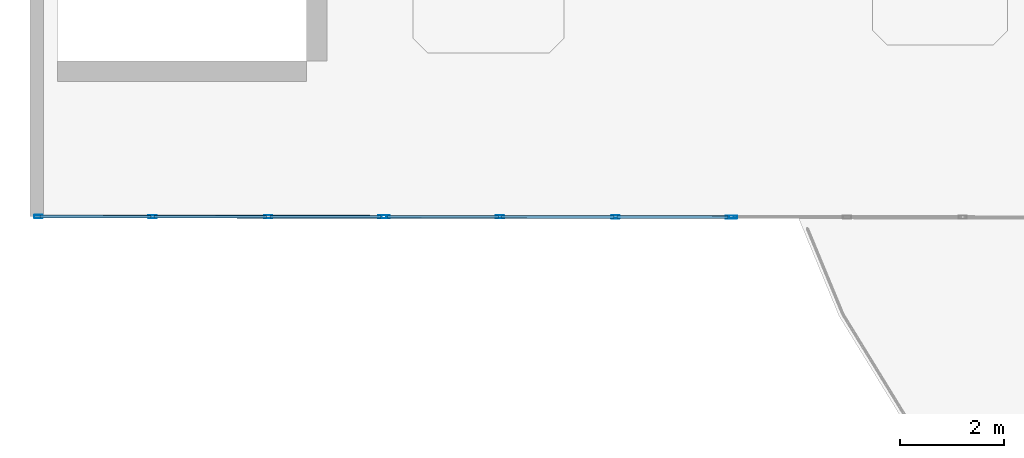
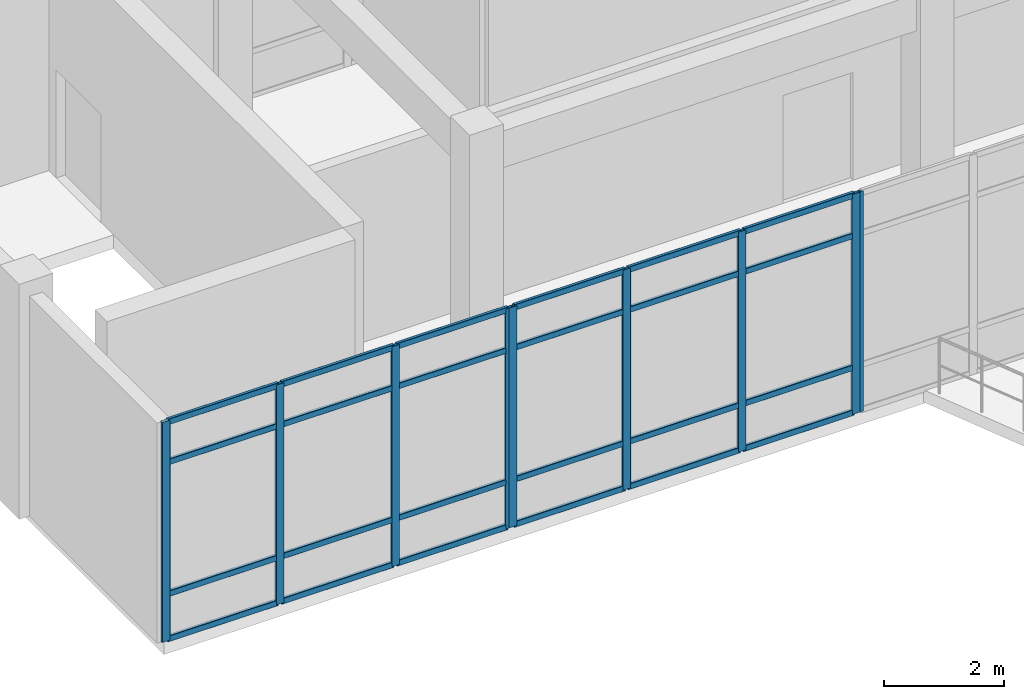
# One storey, part 3 of 41: 33 members, 3 elements without a shape of their own.
"""IFC4 building model written with IfcOpenShell, lengths in metres."""

from ifc_helpers import new_model, si_unit, derived_unit, direction, frame, origin, origin_2d, place, context, subcontext, project, spatial, hollow_rectangle, extrude, material, layer, layer_set, material_profile, profile_set, type_object, element, aggregate, save


model = new_model("IFC4")

# Units and contexts
model_context = context("Model", 3, precision=1e-05, world=origin(), true_north=direction((0.0, 1.0)))
body_context = subcontext(model_context, "Body", "Model", "MODEL_VIEW")
ifc_project = project(units=[si_unit("LENGTHUNIT", "METRE"), si_unit("AREAUNIT", "SQUARE_METRE"), si_unit("VOLUMEUNIT", "CUBIC_METRE"), si_unit("PLANEANGLEUNIT", "RADIAN"), si_unit("MASSUNIT", "GRAM", prefix="KILO"), derived_unit("THERMALTRANSMITTANCEUNIT", [(si_unit("MASSUNIT", "GRAM", prefix="KILO"), 1), (si_unit("TIMEUNIT", "SECOND"), -3), (si_unit("THERMODYNAMICTEMPERATUREUNIT", "KELVIN"), -1)])], contexts=[model_context])

# Site, building, storey
site_placement = place(None, origin())
site = spatial("IfcSite", under=ifc_project, at=site_placement, CompositionType="ELEMENT")
building_placement = place(site_placement, origin())
building = spatial("IfcBuilding", under=site, at=building_placement, Name="Qinzheling Arcade Emporium", CompositionType="ELEMENT")
storey_placement = place(building_placement, frame((0.0, 0.0, 36.300048828125)))
storey = spatial("IfcBuildingStorey", under=building, at=storey_placement, Name="L08", CompositionType="ELEMENT", Elevation=36.300048828125)

# Curtain wall, member
ifc_material_1 = material(Name="Anodised aluminium and solar-control double glazing", Category="aluminium")
ifc_layer = layer(ifc_material_1, 0.159912109375, Name="Anodised aluminium and solar-control double glazing", Category="aluminium")
ifc_layer_set = layer_set([ifc_layer], Name="Anodised aluminium and solar-control double glazing")
curtain_wall_type = type_object("IfcCurtainWallType", Name="Arcade Portal Glazed Curtain Wall", PredefinedType="NOTDEFINED", material=ifc_layer_set)
curtain_wall_1_placement = place(storey_placement, origin())
curtain_wall_1 = element("IfcCurtainWall", 1, at=curtain_wall_1_placement, inside=storey, type_object=curtain_wall_type, Name="Curtain Wall CW-L08-459", PredefinedType="NOTDEFINED")
ifc_material_2 = material(Name="Anodised aluminium 6063-T6", Category="aluminium")
ifc_material_profile_1 = material_profile(ifc_material_2, hollow_rectangle(XDim=0.06005859375, YDim=0.159912109375, WallThickness=0.00390625, InnerFilletRadius=0.00390625, OuterFilletRadius=0.008056640625, at=origin_2d()), Name="RHS 160x60x4", Category="aluminium")
ifc_profile_set_1 = profile_set([ifc_material_profile_1], Name="Anodised aluminium 6063-T6")
member_type_1 = type_object("IfcMemberType", Name="Curtain Wall Mullion RHS160x60", PredefinedType="MULLION", material=ifc_profile_set_1)
member_1_placement = place(storey_placement, frame((13.408935546875, 28.989013671875, 0.0), z_axis=(0.0, 0.0, 1.0), x_axis=(-0.000897397182, -0.999999597339, 0.0)))
member_1 = element("IfcMember", 2, at=member_1_placement, type_object=member_type_1, Name="CW05 mullion 4", PredefinedType="MULLION", context=body_context, shape_type="SweptSolid", body=[
    extrude(hollow_rectangle(XDim=0.06005859375, YDim=0.159912109375, WallThickness=0.00390625, InnerFilletRadius=0.00390625, OuterFilletRadius=0.008056640625, at=origin_2d()), origin(), (0.0, 0.0, 1.0), 4.489990234375),
])
aggregate(curtain_wall_1, [member_1])

# Curtain wall, members
curtain_wall_2_placement = place(storey_placement, origin())
curtain_wall_2 = element("IfcCurtainWall", 3, at=curtain_wall_2_placement, inside=storey, type_object=curtain_wall_type, Name="Curtain Wall CW-L08-460", PredefinedType="NOTDEFINED")
member_2_placement = place(storey_placement, frame((13.344970703125, 28.989013671875, 0.0), z_axis=(0.0, 0.0, 1.0), x_axis=(-0.000747942944, -0.999999720291, 0.0)))
member_2 = element("IfcMember", 4, at=member_2_placement, type_object=member_type_1, Name="CW05 mullion 1", PredefinedType="MULLION", context=body_context, shape_type="SweptSolid", body=[
    extrude(hollow_rectangle(XDim=0.06005859375, YDim=0.159912109375, WallThickness=0.00390625, InnerFilletRadius=0.00390625, OuterFilletRadius=0.008056640625, at=origin_2d()), origin(), (0.0, 0.0, 1.0), 4.489990234375),
])
member_3_placement = place(storey_placement, frame((11.146728515625, 28.99072265625, 0.0), z_axis=(0.0, 0.0, 1.0), x_axis=(-0.000747942944, -0.999999720291, 0.0)))
member_3 = element("IfcMember", 5, at=member_3_placement, type_object=member_type_1, Name="CW05 mullion 2", PredefinedType="MULLION", context=body_context, shape_type="SweptSolid", body=[
    extrude(hollow_rectangle(XDim=0.06005859375, YDim=0.159912109375, WallThickness=0.00390625, InnerFilletRadius=0.00390625, OuterFilletRadius=0.008056640625, at=origin_2d()), origin(), (0.0, 0.0, 1.0), 4.489990234375),
])
member_4_placement = place(storey_placement, frame((8.918212890625, 28.992431640625, 0.0), z_axis=(0.0, 0.0, 1.0), x_axis=(-0.000747942944, -0.999999720291, 0.0)))
member_4 = element("IfcMember", 6, at=member_4_placement, type_object=member_type_1, Name="CW05 mullion 3", PredefinedType="MULLION", context=body_context, shape_type="SweptSolid", body=[
    extrude(hollow_rectangle(XDim=0.06005859375, YDim=0.159912109375, WallThickness=0.00390625, InnerFilletRadius=0.00390625, OuterFilletRadius=0.008056640625, at=origin_2d()), origin(), (0.0, 0.0, 1.0), 4.489990234375),
])
member_5_placement = place(storey_placement, frame((6.719970703125, 28.993896484375, 0.0), z_axis=(0.0, 0.0, 1.0), x_axis=(-0.000747942944, -0.999999720291, 0.0)))
member_5 = element("IfcMember", 7, at=member_5_placement, type_object=member_type_1, Name="CW05 mullion 4", PredefinedType="MULLION", context=body_context, shape_type="SweptSolid", body=[
    extrude(hollow_rectangle(XDim=0.06005859375, YDim=0.159912109375, WallThickness=0.00390625, InnerFilletRadius=0.00390625, OuterFilletRadius=0.008056640625, at=origin_2d()), origin(), (0.0, 0.0, 1.0), 4.489990234375),
])

curtain_wall_3_placement = place(storey_placement, origin())
curtain_wall_3 = element("IfcCurtainWall", 8, at=curtain_wall_3_placement, inside=storey, type_object=curtain_wall_type, Name="Curtain Wall CW-L08-461", PredefinedType="NOTDEFINED")
member_6_placement = place(storey_placement, frame((6.656005859375, 28.994140625, 0.0), z_axis=(0.0, 0.0, 1.0), x_axis=(-0.000897397182, -0.999999597339, 0.0)))
member_6 = element("IfcMember", 9, at=member_6_placement, type_object=member_type_1, Name="CW05 mullion 1", PredefinedType="MULLION", context=body_context, shape_type="SweptSolid", body=[
    extrude(hollow_rectangle(XDim=0.06005859375, YDim=0.159912109375, WallThickness=0.00390625, InnerFilletRadius=0.00390625, OuterFilletRadius=0.008056640625, at=origin_2d()), origin(), (0.0, 0.0, 1.0), 4.489990234375),
])
member_7_placement = place(storey_placement, frame((4.457275390625, 28.99609375, 0.0), z_axis=(0.0, 0.0, 1.0), x_axis=(-0.000897397182, -0.999999597339, 0.0)))
member_7 = element("IfcMember", 10, at=member_7_placement, type_object=member_type_1, Name="CW05 mullion 2", PredefinedType="MULLION", context=body_context, shape_type="SweptSolid", body=[
    extrude(hollow_rectangle(XDim=0.06005859375, YDim=0.159912109375, WallThickness=0.00390625, InnerFilletRadius=0.00390625, OuterFilletRadius=0.008056640625, at=origin_2d()), origin(), (0.0, 0.0, 1.0), 4.489990234375),
])
member_8_placement = place(storey_placement, frame((2.228759765625, 28.998046875, 0.0), z_axis=(0.0, 0.0, 1.0), x_axis=(-0.000897397182, -0.999999597339, 0.0)))
member_8 = element("IfcMember", 11, at=member_8_placement, type_object=member_type_1, Name="CW05 mullion 3", PredefinedType="MULLION", context=body_context, shape_type="SweptSolid", body=[
    extrude(hollow_rectangle(XDim=0.06005859375, YDim=0.159912109375, WallThickness=0.00390625, InnerFilletRadius=0.00390625, OuterFilletRadius=0.008056640625, at=origin_2d()), origin(), (0.0, 0.0, 1.0), 4.489990234375),
])
member_9_placement = place(storey_placement, frame((0.030029296875, 29.0, 0.0), z_axis=(0.0, 0.0, 1.0), x_axis=(-0.000897397182, -0.999999597339, 0.0)))
member_9 = element("IfcMember", 12, at=member_9_placement, type_object=member_type_1, Name="CW05 mullion 4", PredefinedType="MULLION", context=body_context, shape_type="SweptSolid", body=[
    extrude(hollow_rectangle(XDim=0.06005859375, YDim=0.159912109375, WallThickness=0.00390625, InnerFilletRadius=0.00390625, OuterFilletRadius=0.008056640625, at=origin_2d()), origin(), (0.0, 0.0, 1.0), 4.489990234375),
])

# Member
ifc_material_profile_2 = material_profile(ifc_material_2, hollow_rectangle(XDim=0.06005859375, YDim=0.1201171875, WallThickness=0.00390625, InnerFilletRadius=0.00390625, OuterFilletRadius=0.008056640625, at=origin_2d()), Name="RHS 120x60x4", Category="aluminium")
ifc_profile_set_2 = profile_set([ifc_material_profile_2], Name="Anodised aluminium 6063-T6")
member_type_2 = type_object("IfcMemberType", Name="Curtain Wall Transom RHS120x60", PredefinedType="USERDEFINED", material=ifc_profile_set_2)
member_10_placement = place(storey_placement, frame((13.31494140625, 28.989013671875, 0.030029296875), z_axis=(-0.999999680584, 0.000799268984, 0.0), x_axis=(-0.000799268984, -0.999999680584, 0.0)))
member_10 = element("IfcMember", 13, at=member_10_placement, type_object=member_type_2, Name="CW05 transom 1.1", ObjectType="TRANSOM", PredefinedType="USERDEFINED", context=body_context, shape_type="SweptSolid", body=[
    extrude(hollow_rectangle(XDim=0.06005859375, YDim=0.1201171875, WallThickness=0.00390625, InnerFilletRadius=0.00390625, OuterFilletRadius=0.008056640625, at=origin_2d()), origin(), (0.0, 0.0, 1.0), 2.13818359375),
])

member_11_placement = place(storey_placement, frame((13.31494140625, 28.989013671875, 0.949951171875), z_axis=(-0.999999680584, 0.000799268984, 0.0), x_axis=(-0.000799268984, -0.999999680584, 0.0)))
member_11 = element("IfcMember", 14, at=member_11_placement, type_object=member_type_2, Name="CW05 transom 1.2", ObjectType="TRANSOM", PredefinedType="USERDEFINED", context=body_context, shape_type="SweptSolid", body=[
    extrude(hollow_rectangle(XDim=0.06005859375, YDim=0.1201171875, WallThickness=0.00390625, InnerFilletRadius=0.00390625, OuterFilletRadius=0.008056640625, at=origin_2d()), origin(), (0.0, 0.0, 1.0), 2.13818359375),
])

member_12_placement = place(storey_placement, frame((13.31494140625, 28.989013671875, 3.639892578125), z_axis=(-0.999999680584, 0.000799268984, 0.0), x_axis=(-0.000799268984, -0.999999680584, 0.0)))
member_12 = element("IfcMember", 15, at=member_12_placement, type_object=member_type_2, Name="CW05 transom 1.3", ObjectType="TRANSOM", PredefinedType="USERDEFINED", context=body_context, shape_type="SweptSolid", body=[
    extrude(hollow_rectangle(XDim=0.06005859375, YDim=0.1201171875, WallThickness=0.00390625, InnerFilletRadius=0.00390625, OuterFilletRadius=0.008056640625, at=origin_2d()), origin(), (0.0, 0.0, 1.0), 2.13818359375),
])

member_13_placement = place(storey_placement, frame((13.31494140625, 28.989013671875, 4.4599609375), z_axis=(-0.999999680584, 0.000799268984, 0.0), x_axis=(-0.000799268984, -0.999999680584, 0.0)))
member_13 = element("IfcMember", 16, at=member_13_placement, type_object=member_type_2, Name="CW05 transom 1.4", ObjectType="TRANSOM", PredefinedType="USERDEFINED", context=body_context, shape_type="SweptSolid", body=[
    extrude(hollow_rectangle(XDim=0.06005859375, YDim=0.1201171875, WallThickness=0.00390625, InnerFilletRadius=0.00390625, OuterFilletRadius=0.008056640625, at=origin_2d()), origin(), (0.0, 0.0, 1.0), 2.13818359375),
])

member_14_placement = place(storey_placement, frame((11.11669921875, 28.99072265625, 0.030029296875), z_axis=(-0.999999689441, 0.000788110541, 0.0), x_axis=(-0.000788110541, -0.999999689441, 0.0)))
member_14 = element("IfcMember", 17, at=member_14_placement, type_object=member_type_2, Name="CW05 transom 2.1", ObjectType="TRANSOM", PredefinedType="USERDEFINED", context=body_context, shape_type="SweptSolid", body=[
    extrude(hollow_rectangle(XDim=0.06005859375, YDim=0.1201171875, WallThickness=0.00390625, InnerFilletRadius=0.00390625, OuterFilletRadius=0.008056640625, at=origin_2d()), origin(), (0.0, 0.0, 1.0), 2.16845703125),
])

member_15_placement = place(storey_placement, frame((11.11669921875, 28.99072265625, 0.949951171875), z_axis=(-0.999999689441, 0.000788110541, 0.0), x_axis=(-0.000788110541, -0.999999689441, 0.0)))
member_15 = element("IfcMember", 18, at=member_15_placement, type_object=member_type_2, Name="CW05 transom 2.2", ObjectType="TRANSOM", PredefinedType="USERDEFINED", context=body_context, shape_type="SweptSolid", body=[
    extrude(hollow_rectangle(XDim=0.06005859375, YDim=0.1201171875, WallThickness=0.00390625, InnerFilletRadius=0.00390625, OuterFilletRadius=0.008056640625, at=origin_2d()), origin(), (0.0, 0.0, 1.0), 2.16845703125),
])

member_16_placement = place(storey_placement, frame((11.11669921875, 28.99072265625, 3.639892578125), z_axis=(-0.999999689441, 0.000788110541, 0.0), x_axis=(-0.000788110541, -0.999999689441, 0.0)))
member_16 = element("IfcMember", 19, at=member_16_placement, type_object=member_type_2, Name="CW05 transom 2.3", ObjectType="TRANSOM", PredefinedType="USERDEFINED", context=body_context, shape_type="SweptSolid", body=[
    extrude(hollow_rectangle(XDim=0.06005859375, YDim=0.1201171875, WallThickness=0.00390625, InnerFilletRadius=0.00390625, OuterFilletRadius=0.008056640625, at=origin_2d()), origin(), (0.0, 0.0, 1.0), 2.16845703125),
])

member_17_placement = place(storey_placement, frame((11.11669921875, 28.99072265625, 4.4599609375), z_axis=(-0.999999689441, 0.000788110541, 0.0), x_axis=(-0.000788110541, -0.999999689441, 0.0)))
member_17 = element("IfcMember", 20, at=member_17_placement, type_object=member_type_2, Name="CW05 transom 2.4", ObjectType="TRANSOM", PredefinedType="USERDEFINED", context=body_context, shape_type="SweptSolid", body=[
    extrude(hollow_rectangle(XDim=0.06005859375, YDim=0.1201171875, WallThickness=0.00390625, InnerFilletRadius=0.00390625, OuterFilletRadius=0.008056640625, at=origin_2d()), origin(), (0.0, 0.0, 1.0), 2.16845703125),
])

member_18_placement = place(storey_placement, frame((8.888427734375, 28.992431640625, 0.030029296875), z_axis=(-0.999999765381, 0.000685009544, 0.0), x_axis=(-0.000685009544, -0.999999765381, 0.0)))
member_18 = element("IfcMember", 21, at=member_18_placement, type_object=member_type_2, Name="CW05 transom 3.1", ObjectType="TRANSOM", PredefinedType="USERDEFINED", context=body_context, shape_type="SweptSolid", body=[
    extrude(hollow_rectangle(XDim=0.06005859375, YDim=0.1201171875, WallThickness=0.00390625, InnerFilletRadius=0.00390625, OuterFilletRadius=0.008056640625, at=origin_2d()), origin(), (0.0, 0.0, 1.0), 2.138427734375),
])

member_19_placement = place(storey_placement, frame((8.888427734375, 28.992431640625, 0.949951171875), z_axis=(-0.999999765381, 0.000685009544, 0.0), x_axis=(-0.000685009544, -0.999999765381, 0.0)))
member_19 = element("IfcMember", 22, at=member_19_placement, type_object=member_type_2, Name="CW05 transom 3.2", ObjectType="TRANSOM", PredefinedType="USERDEFINED", context=body_context, shape_type="SweptSolid", body=[
    extrude(hollow_rectangle(XDim=0.06005859375, YDim=0.1201171875, WallThickness=0.00390625, InnerFilletRadius=0.00390625, OuterFilletRadius=0.008056640625, at=origin_2d()), origin(), (0.0, 0.0, 1.0), 2.138427734375),
])

member_20_placement = place(storey_placement, frame((8.888427734375, 28.992431640625, 3.639892578125), z_axis=(-0.999999765381, 0.000685009544, 0.0), x_axis=(-0.000685009544, -0.999999765381, 0.0)))
member_20 = element("IfcMember", 23, at=member_20_placement, type_object=member_type_2, Name="CW05 transom 3.3", ObjectType="TRANSOM", PredefinedType="USERDEFINED", context=body_context, shape_type="SweptSolid", body=[
    extrude(hollow_rectangle(XDim=0.06005859375, YDim=0.1201171875, WallThickness=0.00390625, InnerFilletRadius=0.00390625, OuterFilletRadius=0.008056640625, at=origin_2d()), origin(), (0.0, 0.0, 1.0), 2.138427734375),
])

member_21_placement = place(storey_placement, frame((8.888427734375, 28.992431640625, 4.4599609375), z_axis=(-0.999999765381, 0.000685009544, 0.0), x_axis=(-0.000685009544, -0.999999765381, 0.0)))
member_21 = element("IfcMember", 24, at=member_21_placement, type_object=member_type_2, Name="CW05 transom 3.4", ObjectType="TRANSOM", PredefinedType="USERDEFINED", context=body_context, shape_type="SweptSolid", body=[
    extrude(hollow_rectangle(XDim=0.06005859375, YDim=0.1201171875, WallThickness=0.00390625, InnerFilletRadius=0.00390625, OuterFilletRadius=0.008056640625, at=origin_2d()), origin(), (0.0, 0.0, 1.0), 2.138427734375),
])

aggregate(curtain_wall_2, [member_2, member_3, member_4, member_5, member_10, member_11, member_12, member_13, member_14, member_15, member_16, member_17, member_18, member_19, member_20, member_21])

member_22_placement = place(storey_placement, frame((6.6259765625, 28.994140625, 0.030029296875), z_axis=(-0.999999582995, 0.000913241628, 0.0), x_axis=(-0.000913241628, -0.999999582995, 0.0)))
member_22 = element("IfcMember", 25, at=member_22_placement, type_object=member_type_2, Name="CW05 transom 1.1", ObjectType="TRANSOM", PredefinedType="USERDEFINED", context=body_context, shape_type="SweptSolid", body=[
    extrude(hollow_rectangle(XDim=0.06005859375, YDim=0.1201171875, WallThickness=0.00390625, InnerFilletRadius=0.00390625, OuterFilletRadius=0.008056640625, at=origin_2d()), origin(), (0.0, 0.0, 1.0), 2.138671875),
])

member_23_placement = place(storey_placement, frame((6.6259765625, 28.994140625, 0.949951171875), z_axis=(-0.999999582995, 0.000913241628, 0.0), x_axis=(-0.000913241628, -0.999999582995, 0.0)))
member_23 = element("IfcMember", 26, at=member_23_placement, type_object=member_type_2, Name="CW05 transom 1.2", ObjectType="TRANSOM", PredefinedType="USERDEFINED", context=body_context, shape_type="SweptSolid", body=[
    extrude(hollow_rectangle(XDim=0.06005859375, YDim=0.1201171875, WallThickness=0.00390625, InnerFilletRadius=0.00390625, OuterFilletRadius=0.008056640625, at=origin_2d()), origin(), (0.0, 0.0, 1.0), 2.138671875),
])

member_24_placement = place(storey_placement, frame((6.6259765625, 28.994140625, 3.639892578125), z_axis=(-0.999999582995, 0.000913241628, 0.0), x_axis=(-0.000913241628, -0.999999582995, 0.0)))
member_24 = element("IfcMember", 27, at=member_24_placement, type_object=member_type_2, Name="CW05 transom 1.3", ObjectType="TRANSOM", PredefinedType="USERDEFINED", context=body_context, shape_type="SweptSolid", body=[
    extrude(hollow_rectangle(XDim=0.06005859375, YDim=0.1201171875, WallThickness=0.00390625, InnerFilletRadius=0.00390625, OuterFilletRadius=0.008056640625, at=origin_2d()), origin(), (0.0, 0.0, 1.0), 2.138671875),
])

member_25_placement = place(storey_placement, frame((6.6259765625, 28.994140625, 4.4599609375), z_axis=(-0.999999582995, 0.000913241628, 0.0), x_axis=(-0.000913241628, -0.999999582995, 0.0)))
member_25 = element("IfcMember", 28, at=member_25_placement, type_object=member_type_2, Name="CW05 transom 1.4", ObjectType="TRANSOM", PredefinedType="USERDEFINED", context=body_context, shape_type="SweptSolid", body=[
    extrude(hollow_rectangle(XDim=0.06005859375, YDim=0.1201171875, WallThickness=0.00390625, InnerFilletRadius=0.00390625, OuterFilletRadius=0.008056640625, at=origin_2d()), origin(), (0.0, 0.0, 1.0), 2.138671875),
])

member_26_placement = place(storey_placement, frame((4.42724609375, 28.99609375, 0.030029296875), z_axis=(-0.999999594463, 0.00090059628, 0.0), x_axis=(-0.00090059628, -0.999999594463, 0.0)))
member_26 = element("IfcMember", 29, at=member_26_placement, type_object=member_type_2, Name="CW05 transom 2.1", ObjectType="TRANSOM", PredefinedType="USERDEFINED", context=body_context, shape_type="SweptSolid", body=[
    extrude(hollow_rectangle(XDim=0.06005859375, YDim=0.1201171875, WallThickness=0.00390625, InnerFilletRadius=0.00390625, OuterFilletRadius=0.008056640625, at=origin_2d()), origin(), (0.0, 0.0, 1.0), 2.168701171875),
])

member_27_placement = place(storey_placement, frame((4.42724609375, 28.99609375, 0.949951171875), z_axis=(-0.999999594463, 0.00090059628, 0.0), x_axis=(-0.00090059628, -0.999999594463, 0.0)))
member_27 = element("IfcMember", 30, at=member_27_placement, type_object=member_type_2, Name="CW05 transom 2.2", ObjectType="TRANSOM", PredefinedType="USERDEFINED", context=body_context, shape_type="SweptSolid", body=[
    extrude(hollow_rectangle(XDim=0.06005859375, YDim=0.1201171875, WallThickness=0.00390625, InnerFilletRadius=0.00390625, OuterFilletRadius=0.008056640625, at=origin_2d()), origin(), (0.0, 0.0, 1.0), 2.168701171875),
])

member_28_placement = place(storey_placement, frame((4.42724609375, 28.99609375, 3.639892578125), z_axis=(-0.999999594463, 0.00090059628, 0.0), x_axis=(-0.00090059628, -0.999999594463, 0.0)))
member_28 = element("IfcMember", 31, at=member_28_placement, type_object=member_type_2, Name="CW05 transom 2.3", ObjectType="TRANSOM", PredefinedType="USERDEFINED", context=body_context, shape_type="SweptSolid", body=[
    extrude(hollow_rectangle(XDim=0.06005859375, YDim=0.1201171875, WallThickness=0.00390625, InnerFilletRadius=0.00390625, OuterFilletRadius=0.008056640625, at=origin_2d()), origin(), (0.0, 0.0, 1.0), 2.168701171875),
])

member_29_placement = place(storey_placement, frame((4.42724609375, 28.99609375, 4.4599609375), z_axis=(-0.999999594463, 0.00090059628, 0.0), x_axis=(-0.00090059628, -0.999999594463, 0.0)))
member_29 = element("IfcMember", 32, at=member_29_placement, type_object=member_type_2, Name="CW05 transom 2.4", ObjectType="TRANSOM", PredefinedType="USERDEFINED", context=body_context, shape_type="SweptSolid", body=[
    extrude(hollow_rectangle(XDim=0.06005859375, YDim=0.1201171875, WallThickness=0.00390625, InnerFilletRadius=0.00390625, OuterFilletRadius=0.008056640625, at=origin_2d()), origin(), (0.0, 0.0, 1.0), 2.168701171875),
])

member_30_placement = place(storey_placement, frame((2.19873046875, 28.998046875, 0.030029296875), z_axis=(-0.999999582995, 0.000913241628, 0.0), x_axis=(-0.000913241628, -0.999999582995, 0.0)))
member_30 = element("IfcMember", 33, at=member_30_placement, type_object=member_type_2, Name="CW05 transom 3.1", ObjectType="TRANSOM", PredefinedType="USERDEFINED", context=body_context, shape_type="SweptSolid", body=[
    extrude(hollow_rectangle(XDim=0.06005859375, YDim=0.1201171875, WallThickness=0.00390625, InnerFilletRadius=0.00390625, OuterFilletRadius=0.008056640625, at=origin_2d()), origin(), (0.0, 0.0, 1.0), 2.138671875),
])

member_31_placement = place(storey_placement, frame((2.19873046875, 28.998046875, 0.949951171875), z_axis=(-0.999999582995, 0.000913241628, 0.0), x_axis=(-0.000913241628, -0.999999582995, 0.0)))
member_31 = element("IfcMember", 34, at=member_31_placement, type_object=member_type_2, Name="CW05 transom 3.2", ObjectType="TRANSOM", PredefinedType="USERDEFINED", context=body_context, shape_type="SweptSolid", body=[
    extrude(hollow_rectangle(XDim=0.06005859375, YDim=0.1201171875, WallThickness=0.00390625, InnerFilletRadius=0.00390625, OuterFilletRadius=0.008056640625, at=origin_2d()), origin(), (0.0, 0.0, 1.0), 2.138671875),
])

member_32_placement = place(storey_placement, frame((2.19873046875, 28.998046875, 3.639892578125), z_axis=(-0.999999582995, 0.000913241628, 0.0), x_axis=(-0.000913241628, -0.999999582995, 0.0)))
member_32 = element("IfcMember", 35, at=member_32_placement, type_object=member_type_2, Name="CW05 transom 3.3", ObjectType="TRANSOM", PredefinedType="USERDEFINED", context=body_context, shape_type="SweptSolid", body=[
    extrude(hollow_rectangle(XDim=0.06005859375, YDim=0.1201171875, WallThickness=0.00390625, InnerFilletRadius=0.00390625, OuterFilletRadius=0.008056640625, at=origin_2d()), origin(), (0.0, 0.0, 1.0), 2.138671875),
])

member_33_placement = place(storey_placement, frame((2.19873046875, 28.998046875, 4.4599609375), z_axis=(-0.999999582995, 0.000913241628, 0.0), x_axis=(-0.000913241628, -0.999999582995, 0.0)))
member_33 = element("IfcMember", 36, at=member_33_placement, type_object=member_type_2, Name="CW05 transom 3.4", ObjectType="TRANSOM", PredefinedType="USERDEFINED", context=body_context, shape_type="SweptSolid", body=[
    extrude(hollow_rectangle(XDim=0.06005859375, YDim=0.1201171875, WallThickness=0.00390625, InnerFilletRadius=0.00390625, OuterFilletRadius=0.008056640625, at=origin_2d()), origin(), (0.0, 0.0, 1.0), 2.138671875),
])

aggregate(curtain_wall_3, [member_6, member_7, member_8, member_9, member_22, member_23, member_24, member_25, member_26, member_27, member_28, member_29, member_30, member_31, member_32, member_33])

save(model, "model.ifc")
